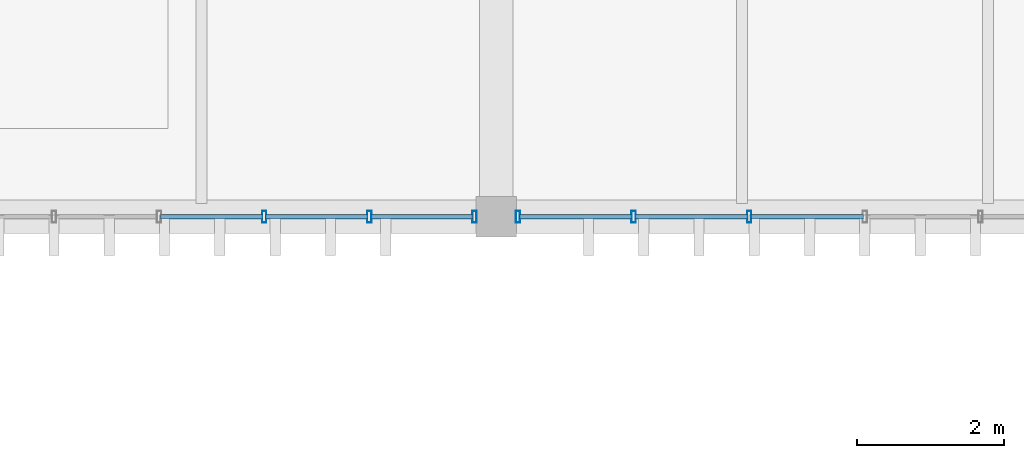
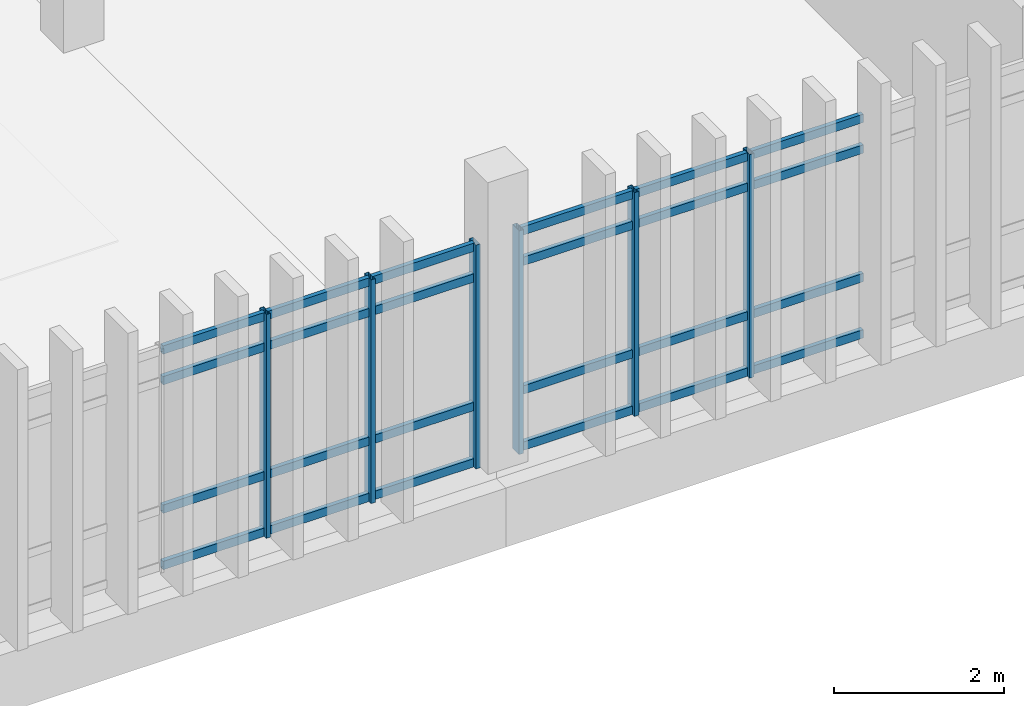
# One storey, part 6 of 29: 30 members, 2 elements without a shape of their own.
"""IFC4 building model written with IfcOpenShell, lengths in metres."""

from ifc_helpers import new_model, si_unit, direction, frame, origin, origin_2d, place, context, subcontext, project, spatial, hollow_rectangle, extrude, material, layer, layer_set, material_profile, profile_set, type_object, element, aggregate, save


model = new_model("IFC4")

# Units and contexts
model_context = context("Model", 3, precision=1e-05, world=origin(), true_north=direction((0.0, 1.0)))
body_context = subcontext(model_context, "Body", "Model", "MODEL_VIEW")
ifc_project = project(units=[si_unit("LENGTHUNIT", "METRE"), si_unit("AREAUNIT", "SQUARE_METRE"), si_unit("VOLUMEUNIT", "CUBIC_METRE"), si_unit("PLANEANGLEUNIT", "RADIAN"), si_unit("MASSUNIT", "GRAM", prefix="KILO")], contexts=[model_context])

# Site, building, storey
site_placement = place(None, origin())
site = spatial("IfcSite", under=ifc_project, at=site_placement, CompositionType="ELEMENT")
building_placement = place(site_placement, origin())
building = spatial("IfcBuilding", under=site, at=building_placement, Name="Mersad Railyard Sports Hall", CompositionType="ELEMENT")
storey_placement = place(building_placement, frame((0.0, 0.0, 17.39990234375)))
storey = spatial("IfcBuildingStorey", under=building, at=storey_placement, Name="L04", CompositionType="ELEMENT", Elevation=17.39990234375)

# Curtain wall, members
ifc_material = material(Name="Aluminium 6063-T6", Category="aluminium")
ifc_layer_1 = layer(ifc_material, 0.159912109375)
ifc_layer_set_1 = layer_set([ifc_layer_1], Name="Aluminium 6063-T6")
curtain_wall_type_1 = type_object("IfcCurtainWallType", Name="ARC-CW-CW64", PredefinedType="USERDEFINED", material=ifc_layer_set_1)
curtain_wall_1_placement = place(storey_placement, origin())
curtain_wall_1 = element("IfcCurtainWall", 1, at=curtain_wall_1_placement, inside=storey, type_object=curtain_wall_type_1, Name="Curtain wall CW64-0167", ObjectType="CURTAIN WALL", PredefinedType="USERDEFINED")
ifc_material_profile_1 = material_profile(ifc_material, hollow_rectangle(XDim=0.06005859375, YDim=0.159912109375, WallThickness=0.00390625, at=origin_2d()), Name="AL MULLION 60x160x4")
ifc_profile_set_1 = profile_set([ifc_material_profile_1], Name="Aluminium 6063-T6")
member_type_1 = type_object("IfcMemberType", Name="ARC-CW-MUL01", PredefinedType="MULLION", material=ifc_profile_set_1)
member_1_placement = place(storey_placement, frame((90.705078125, 85.0, -0.02001953125), z_axis=(0.0, 0.0, 1.0), x_axis=(1.0, 0.0, 0.0)))
member_1 = element("IfcMember", 2, at=member_1_placement, type_object=member_type_1, Name="CW64 Mullion 1", PredefinedType="MULLION", context=body_context, shape_type="SweptSolid", body=[
    extrude(hollow_rectangle(XDim=0.06005859375, YDim=0.159912109375, WallThickness=0.00390625, at=origin_2d()), origin(), (0.0, 0.0, 1.0), 3.22021484375),
])
member_2_placement = place(storey_placement, frame((89.27880859375, 85.0, -0.02001953125), z_axis=(0.0, 0.0, 1.0), x_axis=(1.0, 0.0, 0.0)))
member_2 = element("IfcMember", 3, at=member_2_placement, type_object=member_type_1, Name="CW64 Mullion 2", PredefinedType="MULLION", context=body_context, shape_type="SweptSolid", body=[
    extrude(hollow_rectangle(XDim=0.06005859375, YDim=0.159912109375, WallThickness=0.00390625, at=origin_2d()), origin(), (0.0, 0.0, 1.0), 3.22021484375),
])
member_3_placement = place(storey_placement, frame((87.8525390625, 85.0, -0.02001953125), z_axis=(0.0, 0.0, 1.0), x_axis=(1.0, 0.0, 0.0)))
member_3 = element("IfcMember", 4, at=member_3_placement, type_object=member_type_1, Name="CW64 Mullion 3", PredefinedType="MULLION", context=body_context, shape_type="SweptSolid", body=[
    extrude(hollow_rectangle(XDim=0.06005859375, YDim=0.159912109375, WallThickness=0.00390625, at=origin_2d()), origin(), (0.0, 0.0, 1.0), 3.22021484375),
])

ifc_layer_2 = layer(ifc_material, 0.159912109375)
ifc_layer_set_2 = layer_set([ifc_layer_2], Name="Aluminium 6063-T6")
curtain_wall_type_2 = type_object("IfcCurtainWallType", Name="ARC-CW-CW65", PredefinedType="USERDEFINED", material=ifc_layer_set_2)
curtain_wall_2_placement = place(storey_placement, origin())
curtain_wall_2 = element("IfcCurtainWall", 5, at=curtain_wall_2_placement, inside=storey, type_object=curtain_wall_type_2, Name="Curtain wall CW65-0168", ObjectType="CURTAIN WALL", PredefinedType="USERDEFINED")
member_4_placement = place(storey_placement, frame((94.431640625, 85.0, -0.02001953125), z_axis=(0.0, 0.0, 1.0), x_axis=(1.0, 0.0, 0.0)))
member_4 = element("IfcMember", 6, at=member_4_placement, type_object=member_type_1, Name="CW65 Mullion 5", PredefinedType="MULLION", context=body_context, shape_type="SweptSolid", body=[
    extrude(hollow_rectangle(XDim=0.06005859375, YDim=0.159912109375, WallThickness=0.00390625, at=origin_2d()), origin(), (0.0, 0.0, 1.0), 3.22021484375),
])
member_5_placement = place(storey_placement, frame((92.86328125, 85.0, -0.02001953125), z_axis=(0.0, 0.0, 1.0), x_axis=(1.0, 0.0, 0.0)))
member_5 = element("IfcMember", 7, at=member_5_placement, type_object=member_type_1, Name="CW65 Mullion 6", PredefinedType="MULLION", context=body_context, shape_type="SweptSolid", body=[
    extrude(hollow_rectangle(XDim=0.06005859375, YDim=0.159912109375, WallThickness=0.00390625, at=origin_2d()), origin(), (0.0, 0.0, 1.0), 3.22021484375),
])
member_6_placement = place(storey_placement, frame((91.294921875, 85.0, -0.02001953125), z_axis=(0.0, 0.0, 1.0), x_axis=(1.0, 0.0, 0.0)))
member_6 = element("IfcMember", 8, at=member_6_placement, type_object=member_type_1, Name="CW65 Mullion 7", PredefinedType="MULLION", context=body_context, shape_type="SweptSolid", body=[
    extrude(hollow_rectangle(XDim=0.06005859375, YDim=0.159912109375, WallThickness=0.00390625, at=origin_2d()), origin(), (0.0, 0.0, 1.0), 3.22021484375),
])

# Member
ifc_material_profile_2 = material_profile(ifc_material, hollow_rectangle(XDim=0.06005859375, YDim=0.1201171875, WallThickness=0.00390625, at=origin_2d()), Name="AL TRANSOM 60x120x4")
ifc_profile_set_2 = profile_set([ifc_material_profile_2], Name="Aluminium 6063-T6")
member_type_2 = type_object("IfcMemberType", Name="ARC-CW-TRN01", PredefinedType="USERDEFINED", material=ifc_profile_set_2)
member_7_placement = place(storey_placement, frame((90.68505859375, 85.0, 0.0400390625), z_axis=(-1.0, 0.0, 0.0), x_axis=(0.0, -1.0, 0.0)))
member_7 = element("IfcMember", 9, at=member_7_placement, type_object=member_type_2, Name="CW64 Transom 1-1", ObjectType="TRANSOM", PredefinedType="USERDEFINED", context=body_context, shape_type="SweptSolid", body=[
    extrude(hollow_rectangle(XDim=0.06005859375, YDim=0.1201171875, WallThickness=0.00390625, at=origin_2d()), origin(), (0.0, 0.0, 1.0), 1.38623046875),
])

member_8_placement = place(storey_placement, frame((89.2587890625, 85.0, 0.0400390625), z_axis=(-1.0, 0.0, 0.0), x_axis=(0.0, -1.0, 0.0)))
member_8 = element("IfcMember", 10, at=member_8_placement, type_object=member_type_2, Name="CW64 Transom 1-2", ObjectType="TRANSOM", PredefinedType="USERDEFINED", context=body_context, shape_type="SweptSolid", body=[
    extrude(hollow_rectangle(XDim=0.06005859375, YDim=0.1201171875, WallThickness=0.00390625, at=origin_2d()), origin(), (0.0, 0.0, 1.0), 1.38623046875),
])

member_9_placement = place(storey_placement, frame((87.83251953125, 85.0, 0.0400390625), z_axis=(-1.0, 0.0, 0.0), x_axis=(0.0, -1.0, 0.0)))
member_9 = element("IfcMember", 11, at=member_9_placement, type_object=member_type_2, Name="CW64 Transom 1-3", ObjectType="TRANSOM", PredefinedType="USERDEFINED", context=body_context, shape_type="SweptSolid", body=[
    extrude(hollow_rectangle(XDim=0.06005859375, YDim=0.1201171875, WallThickness=0.00390625, at=origin_2d()), origin(), (0.0, 0.0, 1.0), 1.38623046875),
])

member_10_placement = place(storey_placement, frame((90.68505859375, 85.0, 0.85009765625), z_axis=(-1.0, 0.0, 0.0), x_axis=(0.0, -1.0, 0.0)))
member_10 = element("IfcMember", 12, at=member_10_placement, type_object=member_type_2, Name="CW64 Transom 2-1", ObjectType="TRANSOM", PredefinedType="USERDEFINED", context=body_context, shape_type="SweptSolid", body=[
    extrude(hollow_rectangle(XDim=0.06005859375, YDim=0.1201171875, WallThickness=0.00390625, at=origin_2d()), origin(), (0.0, 0.0, 1.0), 1.38623046875),
])

member_11_placement = place(storey_placement, frame((89.2587890625, 85.0, 0.85009765625), z_axis=(-1.0, 0.0, 0.0), x_axis=(0.0, -1.0, 0.0)))
member_11 = element("IfcMember", 13, at=member_11_placement, type_object=member_type_2, Name="CW64 Transom 2-2", ObjectType="TRANSOM", PredefinedType="USERDEFINED", context=body_context, shape_type="SweptSolid", body=[
    extrude(hollow_rectangle(XDim=0.06005859375, YDim=0.1201171875, WallThickness=0.00390625, at=origin_2d()), origin(), (0.0, 0.0, 1.0), 1.38623046875),
])

member_12_placement = place(storey_placement, frame((87.83251953125, 85.0, 0.85009765625), z_axis=(-1.0, 0.0, 0.0), x_axis=(0.0, -1.0, 0.0)))
member_12 = element("IfcMember", 14, at=member_12_placement, type_object=member_type_2, Name="CW64 Transom 2-3", ObjectType="TRANSOM", PredefinedType="USERDEFINED", context=body_context, shape_type="SweptSolid", body=[
    extrude(hollow_rectangle(XDim=0.06005859375, YDim=0.1201171875, WallThickness=0.00390625, at=origin_2d()), origin(), (0.0, 0.0, 1.0), 1.38623046875),
])

member_13_placement = place(storey_placement, frame((90.68505859375, 85.0, 2.7001953125), z_axis=(-1.0, 0.0, 0.0), x_axis=(0.0, -1.0, 0.0)))
member_13 = element("IfcMember", 15, at=member_13_placement, type_object=member_type_2, Name="CW64 Transom 3-1", ObjectType="TRANSOM", PredefinedType="USERDEFINED", context=body_context, shape_type="SweptSolid", body=[
    extrude(hollow_rectangle(XDim=0.06005859375, YDim=0.1201171875, WallThickness=0.00390625, at=origin_2d()), origin(), (0.0, 0.0, 1.0), 1.38623046875),
])

member_14_placement = place(storey_placement, frame((89.2587890625, 85.0, 2.7001953125), z_axis=(-1.0, 0.0, 0.0), x_axis=(0.0, -1.0, 0.0)))
member_14 = element("IfcMember", 16, at=member_14_placement, type_object=member_type_2, Name="CW64 Transom 3-2", ObjectType="TRANSOM", PredefinedType="USERDEFINED", context=body_context, shape_type="SweptSolid", body=[
    extrude(hollow_rectangle(XDim=0.06005859375, YDim=0.1201171875, WallThickness=0.00390625, at=origin_2d()), origin(), (0.0, 0.0, 1.0), 1.38623046875),
])

member_15_placement = place(storey_placement, frame((87.83251953125, 85.0, 2.7001953125), z_axis=(-1.0, 0.0, 0.0), x_axis=(0.0, -1.0, 0.0)))
member_15 = element("IfcMember", 17, at=member_15_placement, type_object=member_type_2, Name="CW64 Transom 3-3", ObjectType="TRANSOM", PredefinedType="USERDEFINED", context=body_context, shape_type="SweptSolid", body=[
    extrude(hollow_rectangle(XDim=0.06005859375, YDim=0.1201171875, WallThickness=0.00390625, at=origin_2d()), origin(), (0.0, 0.0, 1.0), 1.38623046875),
])

member_16_placement = place(storey_placement, frame((90.68505859375, 85.0, 3.14013671875), z_axis=(-1.0, 0.0, 0.0), x_axis=(0.0, -1.0, 0.0)))
member_16 = element("IfcMember", 18, at=member_16_placement, type_object=member_type_2, Name="CW64 Transom 4-1", ObjectType="TRANSOM", PredefinedType="USERDEFINED", context=body_context, shape_type="SweptSolid", body=[
    extrude(hollow_rectangle(XDim=0.06005859375, YDim=0.1201171875, WallThickness=0.00390625, at=origin_2d()), origin(), (0.0, 0.0, 1.0), 1.38623046875),
])

member_17_placement = place(storey_placement, frame((89.2587890625, 85.0, 3.14013671875), z_axis=(-1.0, 0.0, 0.0), x_axis=(0.0, -1.0, 0.0)))
member_17 = element("IfcMember", 19, at=member_17_placement, type_object=member_type_2, Name="CW64 Transom 4-2", ObjectType="TRANSOM", PredefinedType="USERDEFINED", context=body_context, shape_type="SweptSolid", body=[
    extrude(hollow_rectangle(XDim=0.06005859375, YDim=0.1201171875, WallThickness=0.00390625, at=origin_2d()), origin(), (0.0, 0.0, 1.0), 1.38623046875),
])

member_18_placement = place(storey_placement, frame((87.83251953125, 85.0, 3.14013671875), z_axis=(-1.0, 0.0, 0.0), x_axis=(0.0, -1.0, 0.0)))
member_18 = element("IfcMember", 20, at=member_18_placement, type_object=member_type_2, Name="CW64 Transom 4-3", ObjectType="TRANSOM", PredefinedType="USERDEFINED", context=body_context, shape_type="SweptSolid", body=[
    extrude(hollow_rectangle(XDim=0.06005859375, YDim=0.1201171875, WallThickness=0.00390625, at=origin_2d()), origin(), (0.0, 0.0, 1.0), 1.38623046875),
])

aggregate(curtain_wall_1, [member_1, member_2, member_3, member_7, member_8, member_9, member_10, member_11, member_12, member_13, member_14, member_15, member_16, member_17, member_18])

member_19_placement = place(storey_placement, frame((95.97998046875, 85.0, 0.0400390625), z_axis=(-1.0, 0.0, 0.0), x_axis=(0.0, -1.0, 0.0)))
member_19 = element("IfcMember", 21, at=member_19_placement, type_object=member_type_2, Name="CW65 Transom 1-4", ObjectType="TRANSOM", PredefinedType="USERDEFINED", context=body_context, shape_type="SweptSolid", body=[
    extrude(hollow_rectangle(XDim=0.06005859375, YDim=0.1201171875, WallThickness=0.00390625, at=origin_2d()), origin(), (0.0, 0.0, 1.0), 1.5283203125),
])

member_20_placement = place(storey_placement, frame((94.41162109375, 85.0, 0.0400390625), z_axis=(-1.0, 0.0, 0.0), x_axis=(0.0, -1.0, 0.0)))
member_20 = element("IfcMember", 22, at=member_20_placement, type_object=member_type_2, Name="CW65 Transom 1-5", ObjectType="TRANSOM", PredefinedType="USERDEFINED", context=body_context, shape_type="SweptSolid", body=[
    extrude(hollow_rectangle(XDim=0.06005859375, YDim=0.1201171875, WallThickness=0.00390625, at=origin_2d()), origin(), (0.0, 0.0, 1.0), 1.5283203125),
])

member_21_placement = place(storey_placement, frame((92.84326171875, 85.0, 0.0400390625), z_axis=(-1.0, 0.0, 0.0), x_axis=(0.0, -1.0, 0.0)))
member_21 = element("IfcMember", 23, at=member_21_placement, type_object=member_type_2, Name="CW65 Transom 1-6", ObjectType="TRANSOM", PredefinedType="USERDEFINED", context=body_context, shape_type="SweptSolid", body=[
    extrude(hollow_rectangle(XDim=0.06005859375, YDim=0.1201171875, WallThickness=0.00390625, at=origin_2d()), origin(), (0.0, 0.0, 1.0), 1.5283203125),
])

member_22_placement = place(storey_placement, frame((95.97998046875, 85.0, 0.85009765625), z_axis=(-1.0, 0.0, 0.0), x_axis=(0.0, -1.0, 0.0)))
member_22 = element("IfcMember", 24, at=member_22_placement, type_object=member_type_2, Name="CW65 Transom 2-4", ObjectType="TRANSOM", PredefinedType="USERDEFINED", context=body_context, shape_type="SweptSolid", body=[
    extrude(hollow_rectangle(XDim=0.06005859375, YDim=0.1201171875, WallThickness=0.00390625, at=origin_2d()), origin(), (0.0, 0.0, 1.0), 1.5283203125),
])

member_23_placement = place(storey_placement, frame((94.41162109375, 85.0, 0.85009765625), z_axis=(-1.0, 0.0, 0.0), x_axis=(0.0, -1.0, 0.0)))
member_23 = element("IfcMember", 25, at=member_23_placement, type_object=member_type_2, Name="CW65 Transom 2-5", ObjectType="TRANSOM", PredefinedType="USERDEFINED", context=body_context, shape_type="SweptSolid", body=[
    extrude(hollow_rectangle(XDim=0.06005859375, YDim=0.1201171875, WallThickness=0.00390625, at=origin_2d()), origin(), (0.0, 0.0, 1.0), 1.5283203125),
])

member_24_placement = place(storey_placement, frame((92.84326171875, 85.0, 0.85009765625), z_axis=(-1.0, 0.0, 0.0), x_axis=(0.0, -1.0, 0.0)))
member_24 = element("IfcMember", 26, at=member_24_placement, type_object=member_type_2, Name="CW65 Transom 2-6", ObjectType="TRANSOM", PredefinedType="USERDEFINED", context=body_context, shape_type="SweptSolid", body=[
    extrude(hollow_rectangle(XDim=0.06005859375, YDim=0.1201171875, WallThickness=0.00390625, at=origin_2d()), origin(), (0.0, 0.0, 1.0), 1.5283203125),
])

member_25_placement = place(storey_placement, frame((95.97998046875, 85.0, 2.7001953125), z_axis=(-1.0, 0.0, 0.0), x_axis=(0.0, -1.0, 0.0)))
member_25 = element("IfcMember", 27, at=member_25_placement, type_object=member_type_2, Name="CW65 Transom 3-4", ObjectType="TRANSOM", PredefinedType="USERDEFINED", context=body_context, shape_type="SweptSolid", body=[
    extrude(hollow_rectangle(XDim=0.06005859375, YDim=0.1201171875, WallThickness=0.00390625, at=origin_2d()), origin(), (0.0, 0.0, 1.0), 1.5283203125),
])

member_26_placement = place(storey_placement, frame((94.41162109375, 85.0, 2.7001953125), z_axis=(-1.0, 0.0, 0.0), x_axis=(0.0, -1.0, 0.0)))
member_26 = element("IfcMember", 28, at=member_26_placement, type_object=member_type_2, Name="CW65 Transom 3-5", ObjectType="TRANSOM", PredefinedType="USERDEFINED", context=body_context, shape_type="SweptSolid", body=[
    extrude(hollow_rectangle(XDim=0.06005859375, YDim=0.1201171875, WallThickness=0.00390625, at=origin_2d()), origin(), (0.0, 0.0, 1.0), 1.5283203125),
])

member_27_placement = place(storey_placement, frame((92.84326171875, 85.0, 2.7001953125), z_axis=(-1.0, 0.0, 0.0), x_axis=(0.0, -1.0, 0.0)))
member_27 = element("IfcMember", 29, at=member_27_placement, type_object=member_type_2, Name="CW65 Transom 3-6", ObjectType="TRANSOM", PredefinedType="USERDEFINED", context=body_context, shape_type="SweptSolid", body=[
    extrude(hollow_rectangle(XDim=0.06005859375, YDim=0.1201171875, WallThickness=0.00390625, at=origin_2d()), origin(), (0.0, 0.0, 1.0), 1.5283203125),
])

member_28_placement = place(storey_placement, frame((95.97998046875, 85.0, 3.14013671875), z_axis=(-1.0, 0.0, 0.0), x_axis=(0.0, -1.0, 0.0)))
member_28 = element("IfcMember", 30, at=member_28_placement, type_object=member_type_2, Name="CW65 Transom 4-4", ObjectType="TRANSOM", PredefinedType="USERDEFINED", context=body_context, shape_type="SweptSolid", body=[
    extrude(hollow_rectangle(XDim=0.06005859375, YDim=0.1201171875, WallThickness=0.00390625, at=origin_2d()), origin(), (0.0, 0.0, 1.0), 1.5283203125),
])

member_29_placement = place(storey_placement, frame((94.41162109375, 85.0, 3.14013671875), z_axis=(-1.0, 0.0, 0.0), x_axis=(0.0, -1.0, 0.0)))
member_29 = element("IfcMember", 31, at=member_29_placement, type_object=member_type_2, Name="CW65 Transom 4-5", ObjectType="TRANSOM", PredefinedType="USERDEFINED", context=body_context, shape_type="SweptSolid", body=[
    extrude(hollow_rectangle(XDim=0.06005859375, YDim=0.1201171875, WallThickness=0.00390625, at=origin_2d()), origin(), (0.0, 0.0, 1.0), 1.5283203125),
])

member_30_placement = place(storey_placement, frame((92.84326171875, 85.0, 3.14013671875), z_axis=(-1.0, 0.0, 0.0), x_axis=(0.0, -1.0, 0.0)))
member_30 = element("IfcMember", 32, at=member_30_placement, type_object=member_type_2, Name="CW65 Transom 4-6", ObjectType="TRANSOM", PredefinedType="USERDEFINED", context=body_context, shape_type="SweptSolid", body=[
    extrude(hollow_rectangle(XDim=0.06005859375, YDim=0.1201171875, WallThickness=0.00390625, at=origin_2d()), origin(), (0.0, 0.0, 1.0), 1.5283203125),
])

aggregate(curtain_wall_2, [member_4, member_5, member_6, member_19, member_20, member_21, member_22, member_23, member_24, member_25, member_26, member_27, member_28, member_29, member_30])

save(model, "model.ifc")
